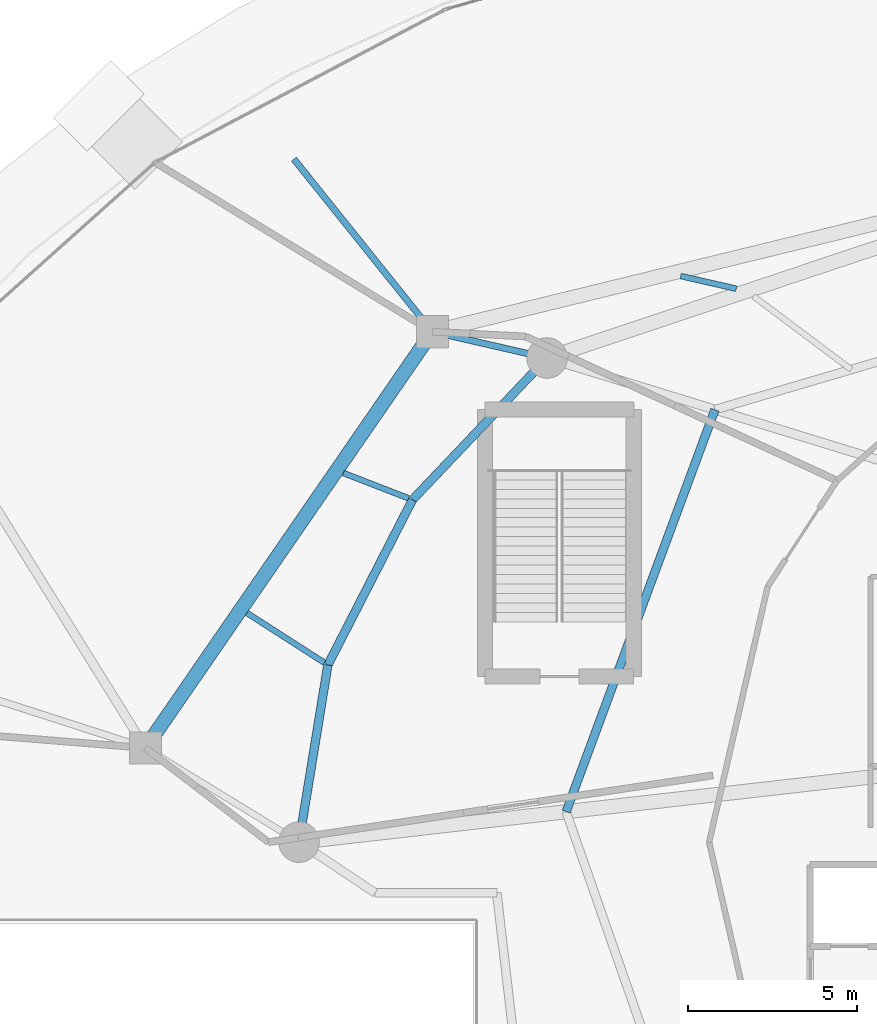
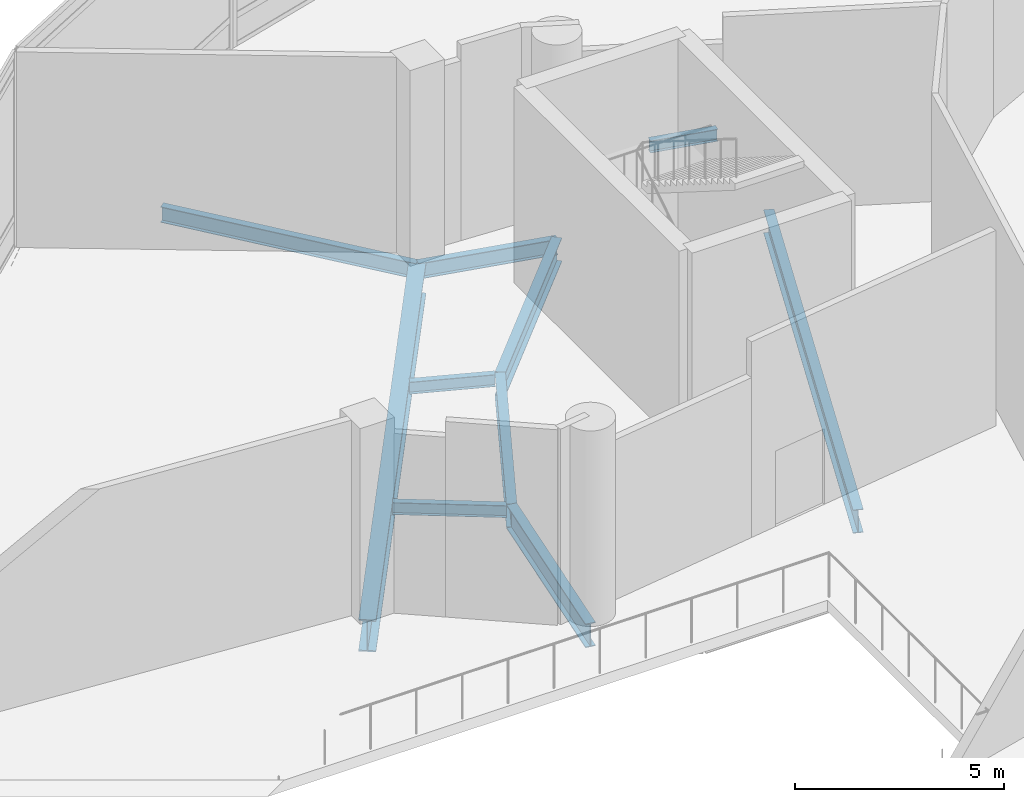
# One storey, part 17 of 40: 10 beams.
"""IFC4 building model written with IfcOpenShell, lengths in metres."""

from ifc_helpers import new_model, si_unit, direction, frame, origin, origin_2d, place, context, subcontext, project, spatial, i_section, extrude, material, material_profile, profile_set, type_object, element, save


model = new_model("IFC4")

# Units and contexts
model_context = context("Model", 3, precision=1e-05, world=origin(), true_north=direction((0.0, 1.0)))
body_context = subcontext(model_context, "Body", "Model", "MODEL_VIEW")
ifc_project = project(units=[si_unit("LENGTHUNIT", "METRE"), si_unit("AREAUNIT", "SQUARE_METRE"), si_unit("VOLUMEUNIT", "CUBIC_METRE"), si_unit("PLANEANGLEUNIT", "RADIAN"), si_unit("MASSUNIT", "GRAM", prefix="KILO")], contexts=[model_context])

# Site, building, storey
site_placement = place(None, origin())
site = spatial("IfcSite", under=ifc_project, at=site_placement, CompositionType="ELEMENT")
building_placement = place(site_placement, origin())
building = spatial("IfcBuilding", under=site, at=building_placement, Name="Nuhasar Tower", CompositionType="ELEMENT")
storey_placement = place(building_placement, origin())
storey = spatial("IfcBuildingStorey", under=building, at=storey_placement, Name="L00", CompositionType="ELEMENT", Elevation=0.0)

# Beams
ifc_material = material(Name="Steel S355", Category="steel")
ifc_material_profile_1 = material_profile(ifc_material, i_section(OverallWidth=0.25390625, OverallDepth=0.68408203125, WebThickness=0.012451171875, FlangeThickness=0.018798828125, at=origin_2d()), Name="W27X94")
ifc_profile_set_1 = profile_set([ifc_material_profile_1], Name="Steel S355")
beam_type_1 = type_object("IfcBeamType", Name="BM-INRING-W27X94", PredefinedType="BEAM", material=ifc_profile_set_1)
beam_1_placement = place(storey_placement, frame((26.251953125, 39.591064453125, -0.662109375), z_axis=(-0.34715757476, -0.937806812881, 0.0), x_axis=(0.937806812881, -0.34715757476, 0.0)))
element("IfcBeam", 1, at=beam_1_placement, inside=storey, type_object=beam_type_1, Name="L00 Inner Header Beam 07", PredefinedType="BEAM", context=body_context, shape_type="SweptSolid", body=[
    extrude(i_section(OverallWidth=0.25390625, OverallDepth=0.68408203125, WebThickness=0.012451171875, FlangeThickness=0.018798828125, at=origin_2d()), origin(), (0.0, 0.0, 1.0), 12.6796875),
])
ifc_material_profile_2 = material_profile(ifc_material, i_section(OverallWidth=0.1708984375, OverallDepth=0.35205078125, WebThickness=0.0068359375, FlangeThickness=0.009765625, at=origin_2d()), Name="W14X30")
ifc_profile_set_2 = profile_set([ifc_material_profile_2], Name="Steel S355")
beam_type_2 = type_object("IfcBeamType", Name="BM-JST-W14X30", PredefinedType="JOIST", material=ifc_profile_set_2)
beam_2_placement = place(storey_placement, frame((26.882080078125, 43.1669921875, -0.49609375), z_axis=(-0.974707362728, 0.223485026441, 0.0), x_axis=(-0.223485026441, -0.974707362728, 0.0)))
element("IfcBeam", 2, at=beam_2_placement, inside=storey, type_object=beam_type_2, Name="L00 Podium Secondary Joist 12", PredefinedType="JOIST", context=body_context, shape_type="SweptSolid", body=[
    extrude(i_section(OverallWidth=0.1708984375, OverallDepth=0.35205078125, WebThickness=0.0068359375, FlangeThickness=0.009765625, at=origin_2d()), origin(), (0.0, 0.0, 1.0), 1.686767578125),
])
beam_3_placement = place(storey_placement, frame((17.18994140625, 36.969970703125, -0.49609375), z_axis=(-0.932506562789, 0.361153029001, 0.0), x_axis=(-0.361153029001, -0.932506562789, 0.0)))
element("IfcBeam", 3, at=beam_3_placement, inside=storey, type_object=beam_type_2, Name="L00 Podium Secondary Joist 13", PredefinedType="JOIST", context=body_context, shape_type="SweptSolid", body=[
    extrude(i_section(OverallWidth=0.1708984375, OverallDepth=0.35205078125, WebThickness=0.0068359375, FlangeThickness=0.009765625, at=origin_2d()), origin(), (0.0, 0.0, 1.0), 2.068603515625),
])
beam_4_placement = place(storey_placement, frame((14.698974609375, 32.10791015625, -0.49609375), z_axis=(-0.841446405515, 0.540340583934, 0.0), x_axis=(-0.540340583934, -0.841446405515, 0.0)))
element("IfcBeam", 4, at=beam_4_placement, inside=storey, type_object=beam_type_2, Name="L00 Podium Secondary Joist 14", PredefinedType="JOIST", context=body_context, shape_type="SweptSolid", body=[
    extrude(i_section(OverallWidth=0.1708984375, OverallDepth=0.35205078125, WebThickness=0.0068359375, FlangeThickness=0.009765625, at=origin_2d()), origin(), (0.0, 0.0, 1.0), 2.72265625),
])
ifc_material_profile_3 = material_profile(ifc_material, i_section(OverallWidth=0.419921875, OverallDepth=0.931884765625, WebThickness=0.021240234375, FlangeThickness=0.03662109375, at=origin_2d()), Name="W36X262")
ifc_profile_set_3 = profile_set([ifc_material_profile_3], Name="Steel S355")
beam_type_3 = type_object("IfcBeamType", Name="BM-POD-W36X262", PredefinedType="BEAM", material=ifc_profile_set_3)
beam_5_placement = place(storey_placement, frame((17.89306640625, 41.89697265625, -0.785888671875), z_axis=(-0.567657789101, -0.823264619957, 0.0), x_axis=(0.823264619957, -0.567657789101, 0.0)))
element("IfcBeam", 5, at=beam_5_placement, inside=storey, type_object=beam_type_3, Name="L00 Podium Ring Girder 07", PredefinedType="BEAM", context=body_context, shape_type="SweptSolid", body=[
    extrude(i_section(OverallWidth=0.419921875, OverallDepth=0.931884765625, WebThickness=0.021240234375, FlangeThickness=0.03662109375, at=origin_2d()), origin(), (0.0, 0.0, 1.0), 14.95263671875),
])
ifc_material_profile_4 = material_profile(ifc_material, i_section(OverallWidth=0.18994140625, OverallDepth=0.45703125, WebThickness=0.009033203125, FlangeThickness=0.014404296875, at=origin_2d()), Name="W18X50")
ifc_profile_set_4 = profile_set([ifc_material_profile_4], Name="Steel S355")
beam_type_4 = type_object("IfcBeamType", Name="BM-RAD-W18X50", PredefinedType="BEAM", material=ifc_profile_set_4)
beam_6_placement = place(storey_placement, frame((21.287109375, 41.118896484375, -0.548095703125), z_axis=(-0.974715141502, 0.223451097394, 0.0), x_axis=(-0.223451097394, -0.974715141502, 0.0)))
element("IfcBeam", 6, at=beam_6_placement, inside=storey, type_object=beam_type_4, Name="L00 Podium Radial Girder 07", PredefinedType="BEAM", context=body_context, shape_type="SweptSolid", body=[
    extrude(i_section(OverallWidth=0.18994140625, OverallDepth=0.45703125, WebThickness=0.009033203125, FlangeThickness=0.014404296875, at=origin_2d()), origin(), (0.0, 0.0, 1.0), 3.482177734375),
])
beam_7_placement = place(storey_placement, frame((17.89306640625, 41.89697265625, -0.548095703125), z_axis=(-0.625682182074, 0.780078077525, 0.0), x_axis=(-0.780078077525, -0.625682182074, 0.0)))
element("IfcBeam", 7, at=beam_7_placement, inside=storey, type_object=beam_type_4, Name="L00 Substructure Cap Tie Girder 12", PredefinedType="BEAM", context=body_context, shape_type="SweptSolid", body=[
    extrude(i_section(OverallWidth=0.18994140625, OverallDepth=0.45703125, WebThickness=0.009033203125, FlangeThickness=0.014404296875, at=origin_2d()), origin(), (0.0, 0.0, 1.0), 6.541748046875),
])
ifc_material_profile_5 = material_profile(ifc_material, i_section(OverallWidth=0.256103515625, OverallDepth=0.693115234375, WebThickness=0.014404296875, FlangeThickness=0.023681640625, at=origin_2d()), Name="W27X114")
ifc_profile_set_5 = profile_set([ifc_material_profile_5], Name="Steel S355")
beam_type_5 = type_object("IfcBeamType", Name="BM-RING-W27X114", PredefinedType="SPANDREL", material=ifc_profile_set_5)
beam_8_placement = place(storey_placement, frame((21.287109375, 41.118896484375, -0.666015625), z_axis=(-0.688480893507, -0.725254478976, 0.0), x_axis=(0.725254478976, -0.688480893507, 0.0)))
element("IfcBeam", 8, at=beam_8_placement, inside=storey, type_object=beam_type_5, Name="L00 Mega-Column Perimeter Ring Spandrel 07-1", PredefinedType="SPANDREL", context=body_context, shape_type="SweptSolid", body=[
    extrude(i_section(OverallWidth=0.256103515625, OverallDepth=0.693115234375, WebThickness=0.014404296875, FlangeThickness=0.023681640625, at=origin_2d()), origin(), (0.0, 0.0, 1.0), 5.782470703125),
])
beam_9_placement = place(storey_placement, frame((17.305908203125, 36.925048828125, -0.666015625), z_axis=(-0.455930023905, -0.890015625314, 0.0), x_axis=(0.890015625314, -0.455930023905, 0.0)))
element("IfcBeam", 9, at=beam_9_placement, inside=storey, type_object=beam_type_5, Name="L00 Mega-Column Perimeter Ring Spandrel 07-2", PredefinedType="SPANDREL", context=body_context, shape_type="SweptSolid", body=[
    extrude(i_section(OverallWidth=0.256103515625, OverallDepth=0.693115234375, WebThickness=0.014404296875, FlangeThickness=0.023681640625, at=origin_2d()), origin(), (0.0, 0.0, 1.0), 5.487548828125),
])
beam_10_placement = place(storey_placement, frame((14.803955078125, 32.041015625, -0.666015625), z_axis=(-0.160826635486, -0.986982671235, 0.0), x_axis=(0.986982671235, -0.160826635486, 0.0)))
element("IfcBeam", 10, at=beam_10_placement, inside=storey, type_object=beam_type_5, Name="L00 Mega-Column Perimeter Ring Spandrel 07-3", PredefinedType="SPANDREL", context=body_context, shape_type="SweptSolid", body=[
    extrude(i_section(OverallWidth=0.256103515625, OverallDepth=0.693115234375, WebThickness=0.014404296875, FlangeThickness=0.023681640625, at=origin_2d()), origin(), (0.0, 0.0, 1.0), 5.31005859375),
])

save(model, "model.ifc")
